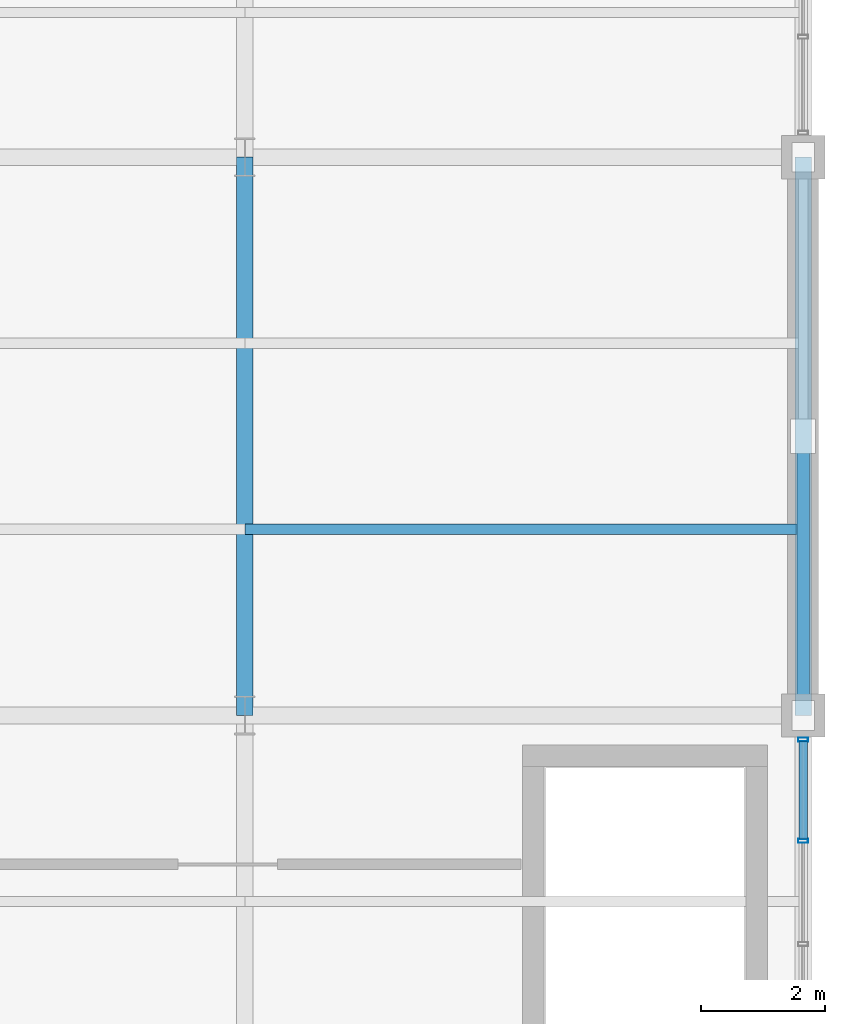
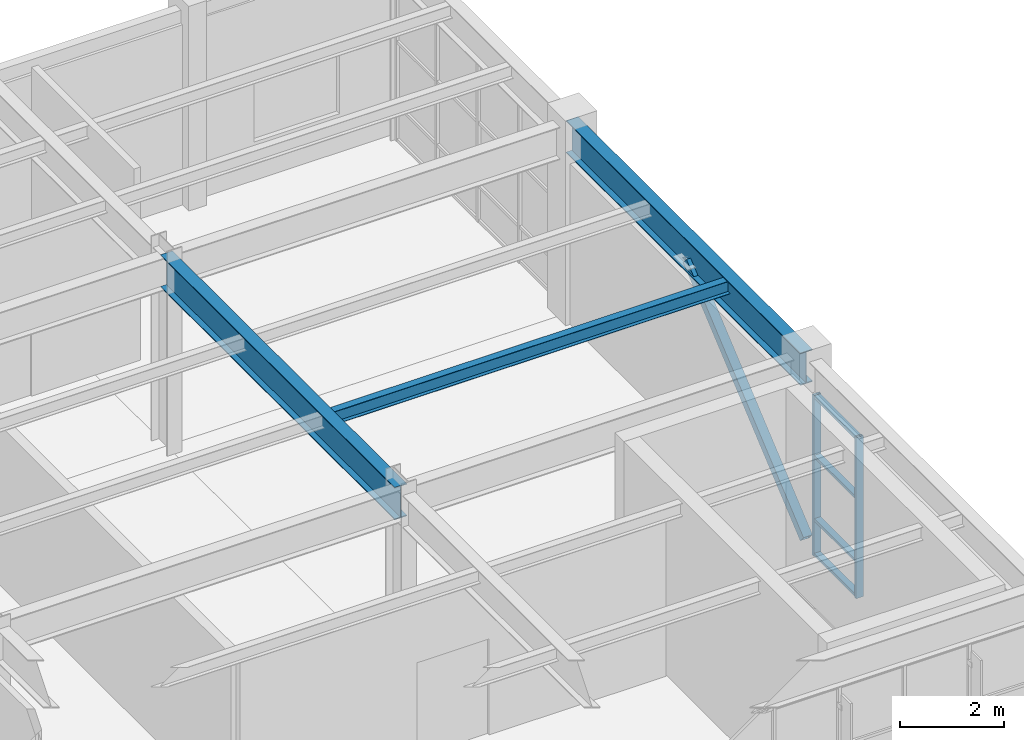
# One storey, part 66 of 99: 8 members, 2 beams, 1 element without a shape of its own.
"""IFC4 building model written with IfcOpenShell, lengths in metres."""

from ifc_helpers import new_model, si_unit, direction, frame, origin, origin_2d, place, context, subcontext, project, spatial, hollow_rectangle, i_section, extrude, material, layer, layer_set, material_profile, profile_set, type_object, element, aggregate, save


model = new_model("IFC4")

# Units and contexts
model_context = context("Model", 3, precision=1e-05, world=origin(), true_north=direction((0.0, 1.0)))
body_context = subcontext(model_context, "Body", "Model", "MODEL_VIEW")
ifc_project = project(units=[si_unit("LENGTHUNIT", "METRE"), si_unit("AREAUNIT", "SQUARE_METRE"), si_unit("VOLUMEUNIT", "CUBIC_METRE"), si_unit("PLANEANGLEUNIT", "RADIAN"), si_unit("MASSUNIT", "GRAM", prefix="KILO")], contexts=[model_context])

# Site, building, storey
site_placement = place(None, origin())
site = spatial("IfcSite", under=ifc_project, at=site_placement, CompositionType="ELEMENT")
building_placement = place(site_placement, origin())
building = spatial("IfcBuilding", under=site, at=building_placement, Name="Ventoquebrada Cableway Terminal", CompositionType="ELEMENT")
storey_placement = place(building_placement, frame((0.0, 0.0, 9.60009765625)))
storey = spatial("IfcBuildingStorey", under=building, at=storey_placement, Name="L02", CompositionType="ELEMENT", Elevation=9.60009765625)

# Beams
ifc_material_1 = material(Name="Steel ASTM A992 Grade 50", Category="steel")
ifc_material_profile_1 = material_profile(ifc_material_1, i_section(OverallWidth=0.26708984375, OverallDepth=0.761962890625, WebThickness=0.014404296875, FlangeThickness=0.021484375, at=origin_2d()), Name="W30X116")
ifc_profile_set_1 = profile_set([ifc_material_profile_1], Name="Steel ASTM A992 Grade 50")
beam_type = type_object("IfcBeamType", Name="BM-ST05", PredefinedType="BEAM", material=ifc_profile_set_1)
for number, where, z_axis, x_axis, name in (
    (1, (147.0, 86.0, 4.14892578125), (0.0, 1.0, 0.0), (-1.0, 0.0, 0.0), "Primary frame girder FBM-0880"),
    (2, (156.0, 86.0, 4.14892578125), (0.0, 1.0, 0.0), (-1.0, 0.0, 0.0), "Primary frame girder FBM-0883"),
):
    element("IfcBeam", number, at=place(storey_placement, frame(where, z_axis=z_axis, x_axis=x_axis)), inside=storey, type_object=beam_type, Name=name, PredefinedType="BEAM", context=body_context, shape_type="SweptSolid", body=[
        extrude(i_section(OverallWidth=0.26708984375, OverallDepth=0.761962890625, WebThickness=0.014404296875, FlangeThickness=0.021484375, at=origin_2d()), origin(), (0.0, 0.0, 1.0), 9.0),
    ])

# Member
ifc_material_2 = material(Name="Steel ASTM A500 Grade C", Category="steel")
ifc_material_profile_2 = material_profile(ifc_material_2, hollow_rectangle(XDim=0.199951171875, YDim=0.199951171875, WallThickness=0.010009765625, at=origin_2d()), Name="HSS200X200X10")
ifc_profile_set_2 = profile_set([ifc_material_profile_2], Name="Steel ASTM A500 Grade C")
member_type_1 = type_object("IfcMemberType", Name="BRC-FR01", PredefinedType="BRACE", material=ifc_profile_set_2)
member_1_placement = place(storey_placement, frame((156.0, 86.0, 0.14990234375), z_axis=(0.0, 0.764025829276, 0.645185657155), x_axis=(-1.0, 0.0, 0.0)))
element("IfcMember", 3, at=member_1_placement, inside=storey, type_object=member_type_1, Name="Concentric lateral chevron brace BR-0535", PredefinedType="BRACE", context=body_context, shape_type="SweptSolid", body=[
    extrude(hollow_rectangle(XDim=0.199951171875, YDim=0.199951171875, WallThickness=0.010009765625, at=origin_2d()), origin(), (0.0, 0.0, 1.0), 5.889892578125),
])

# Curtain wall, members
ifc_material_3 = material(Name="Anodized thermally-broken aluminium", Category="aluminium")
ifc_layer = layer(ifc_material_3, 0.159912109375)
ifc_layer_set = layer_set([ifc_layer], Name="Anodized thermally-broken aluminium")
curtain_wall_type = type_object("IfcCurtainWallType", Name="CW-T34", PredefinedType="USERDEFINED", material=ifc_layer_set)
curtain_wall_placement = place(storey_placement, origin())
curtain_wall = element("IfcCurtainWall", 4, at=curtain_wall_placement, inside=storey, type_object=curtain_wall_type, Name="Unitised glazed curtain wall CW-081", ObjectType="UNITISED CURTAIN WALL", PredefinedType="USERDEFINED")
ifc_material_profile_3 = material_profile(ifc_material_3, hollow_rectangle(XDim=0.06494140625, YDim=0.159912109375, WallThickness=0.00390625, at=origin_2d()), Name="CW-MUL-65X160")
ifc_profile_set_3 = profile_set([ifc_material_profile_3], Name="Anodized thermally-broken aluminium")
member_type_2 = type_object("IfcMemberType", Name="CWM-01", PredefinedType="MULLION", material=ifc_profile_set_3)
member_2_placement = place(storey_placement, frame((156.0, 83.97900390625, -0.008056640625), z_axis=(0.0, 0.0, 1.0), x_axis=(0.0, 1.0, 0.0)))
member_2 = element("IfcMember", 5, at=member_2_placement, type_object=member_type_2, Name="Curtain wall mullion FML-0397", PredefinedType="MULLION", context=body_context, shape_type="SweptSolid", body=[
    extrude(hollow_rectangle(XDim=0.06494140625, YDim=0.159912109375, WallThickness=0.00390625, at=origin_2d()), origin(), (0.0, 0.0, 1.0), 3.77587890625),
])
member_3_placement = place(storey_placement, frame((156.0, 85.610107421875, -0.008056640625), z_axis=(0.0, 0.0, 1.0), x_axis=(0.0, 1.0, 0.0)))
member_3 = element("IfcMember", 6, at=member_3_placement, type_object=member_type_2, Name="Curtain wall mullion FML-0398", PredefinedType="MULLION", context=body_context, shape_type="SweptSolid", body=[
    extrude(hollow_rectangle(XDim=0.06494140625, YDim=0.159912109375, WallThickness=0.00390625, at=origin_2d()), origin(), (0.0, 0.0, 1.0), 3.77587890625),
])
ifc_material_profile_4 = material_profile(ifc_material_3, hollow_rectangle(XDim=0.06494140625, YDim=0.139892578125, WallThickness=0.00390625, at=origin_2d()), Name="CW-TRN-65X140")
ifc_profile_set_4 = profile_set([ifc_material_profile_4], Name="Anodized thermally-broken aluminium")
member_type_3 = type_object("IfcMemberType", Name="CWT-01", PredefinedType="USERDEFINED", material=ifc_profile_set_4)
member_4_placement = place(storey_placement, frame((156.0, 84.007080078125, 0.034912109375), z_axis=(0.0, 1.0, 0.0), x_axis=(0.0, 0.0, 1.0)))
member_4 = element("IfcMember", 7, at=member_4_placement, type_object=member_type_3, Name="Curtain wall transom FTR-1172", ObjectType="TRANSOM", PredefinedType="USERDEFINED", context=body_context, shape_type="SweptSolid", body=[
    extrude(hollow_rectangle(XDim=0.06494140625, YDim=0.139892578125, WallThickness=0.00390625, at=origin_2d()), origin(), (0.0, 0.0, 1.0), 1.574951171875),
])
member_5_placement = place(storey_placement, frame((156.0, 84.007080078125, 0.849853515625), z_axis=(0.0, 1.0, 0.0), x_axis=(0.0, 0.0, 1.0)))
member_5 = element("IfcMember", 8, at=member_5_placement, type_object=member_type_3, Name="Curtain wall transom FTR-1173", ObjectType="TRANSOM", PredefinedType="USERDEFINED", context=body_context, shape_type="SweptSolid", body=[
    extrude(hollow_rectangle(XDim=0.06494140625, YDim=0.139892578125, WallThickness=0.00390625, at=origin_2d()), origin(), (0.0, 0.0, 1.0), 1.574951171875),
])
member_6_placement = place(storey_placement, frame((156.0, 84.007080078125, 2.3330078125), z_axis=(0.0, 1.0, 0.0), x_axis=(0.0, 0.0, 1.0)))
member_6 = element("IfcMember", 9, at=member_6_placement, type_object=member_type_3, Name="Curtain wall transom FTR-1174", ObjectType="TRANSOM", PredefinedType="USERDEFINED", context=body_context, shape_type="SweptSolid", body=[
    extrude(hollow_rectangle(XDim=0.06494140625, YDim=0.139892578125, WallThickness=0.00390625, at=origin_2d()), origin(), (0.0, 0.0, 1.0), 1.574951171875),
])
member_7_placement = place(storey_placement, frame((156.0, 84.007080078125, 3.727783203125), z_axis=(0.0, 1.0, 0.0), x_axis=(0.0, 0.0, 1.0)))
member_7 = element("IfcMember", 10, at=member_7_placement, type_object=member_type_3, Name="Curtain wall transom FTR-1175", ObjectType="TRANSOM", PredefinedType="USERDEFINED", context=body_context, shape_type="SweptSolid", body=[
    extrude(hollow_rectangle(XDim=0.06494140625, YDim=0.139892578125, WallThickness=0.00390625, at=origin_2d()), origin(), (0.0, 0.0, 1.0), 1.574951171875),
])
aggregate(curtain_wall, [member_2, member_3, member_4, member_5, member_6, member_7])

# Member
ifc_material_profile_5 = material_profile(ifc_material_1, i_section(OverallWidth=0.1650390625, OverallDepth=0.31005859375, WebThickness=0.005859375, FlangeThickness=0.009765625, at=origin_2d()), Name="W12X26")
ifc_profile_set_5 = profile_set([ifc_material_profile_5], Name="Steel ASTM A992 Grade 50")
member_type_4 = type_object("IfcMemberType", Name="PUR-RF05", PredefinedType="PURLIN", material=ifc_profile_set_5)
member_8_placement = place(storey_placement, frame((147.0, 89.0, 4.260009765625), z_axis=(1.0, 0.0, 0.0), x_axis=(0.0, 1.0, 0.0)))
element("IfcMember", 11, at=member_8_placement, inside=storey, type_object=member_type_4, Name="Roof support purlin RPR-0519", PredefinedType="PURLIN", context=body_context, shape_type="SweptSolid", body=[
    extrude(i_section(OverallWidth=0.1650390625, OverallDepth=0.31005859375, WebThickness=0.005859375, FlangeThickness=0.009765625, at=origin_2d()), origin(), (0.0, 0.0, 1.0), 9.0),
])

save(model, "model.ifc")
